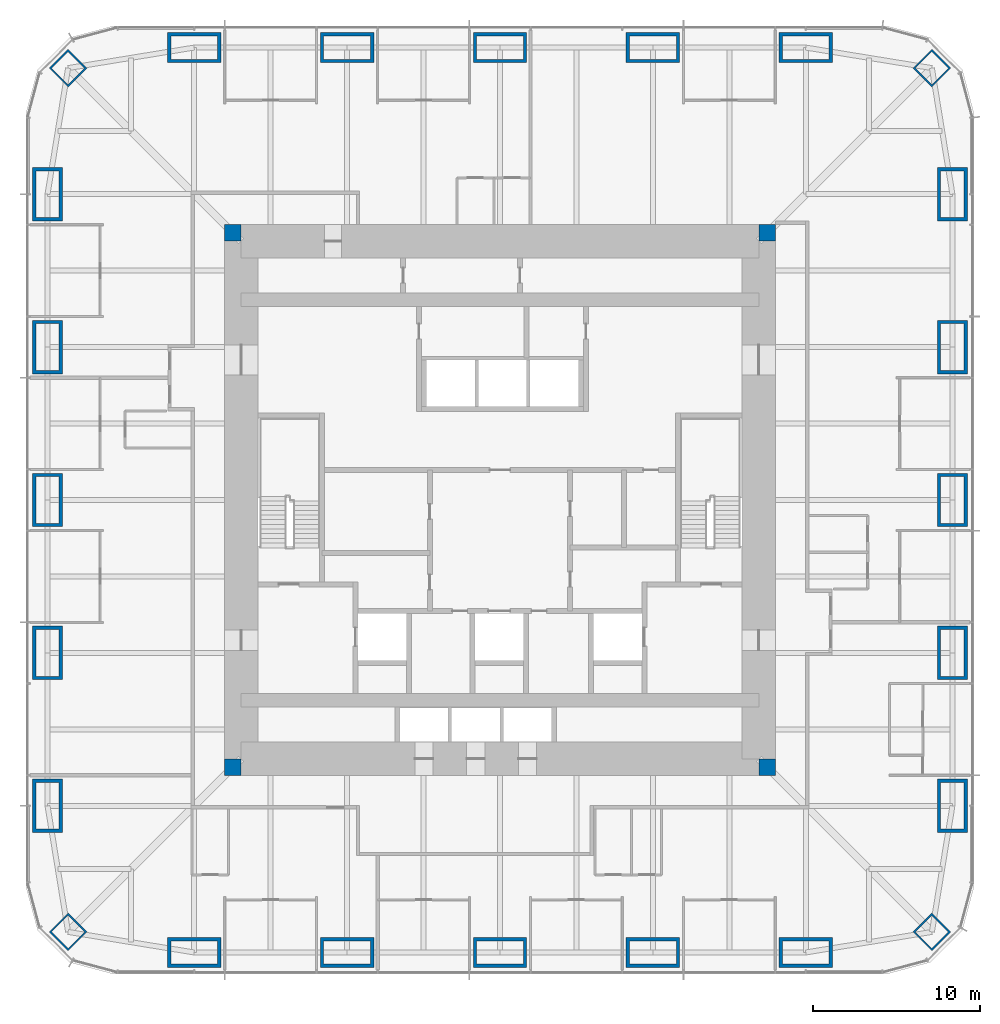
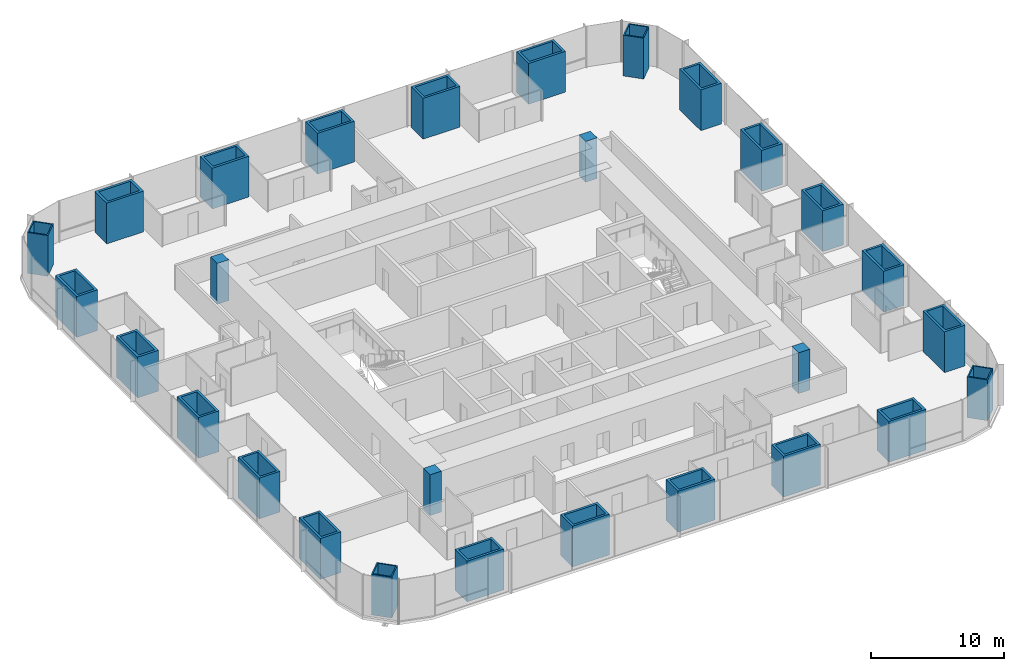
# One storey, part 1 of 11: 28 columns.
"""IFC4 building model written with IfcOpenShell, lengths in metres."""

from ifc_helpers import new_model, si_unit, direction, frame, origin, origin_2d, place, context, subcontext, project, spatial, rectangle, hollow_rectangle, extrude, material, material_profile, profile_set, type_object, element, save


model = new_model("IFC4")

# Units and contexts
model_context = context("Model", 3, precision=1e-05, world=origin(), true_north=direction((0.0, 1.0)))
body_context = subcontext(model_context, "Body", "Model", "MODEL_VIEW")
ifc_project = project(units=[si_unit("LENGTHUNIT", "METRE"), si_unit("AREAUNIT", "SQUARE_METRE"), si_unit("VOLUMEUNIT", "CUBIC_METRE"), si_unit("PLANEANGLEUNIT", "RADIAN"), si_unit("MASSUNIT", "GRAM", prefix="KILO")], contexts=[model_context])

# Site, building, storey
site_placement = place(None, origin())
site = spatial("IfcSite", under=ifc_project, at=site_placement, CompositionType="ELEMENT")
building_placement = place(site_placement, origin())
building = spatial("IfcBuilding", under=site, at=building_placement, Name="Khuree Lantern Residences", CompositionType="ELEMENT")
storey_placement = place(building_placement, frame((0.0, 0.0, 171.0)))
storey = spatial("IfcBuildingStorey", under=building, at=storey_placement, Name="L43", CompositionType="ELEMENT", Elevation=171.0)

# Columns
ifc_material_1 = material(Name="Steel S355 CFT welded box", Category="steel")
ifc_material_profile_1 = material_profile(ifc_material_1, hollow_rectangle(XDim=1.60009765625, YDim=1.60009765625, WallThickness=0.10009765625, at=origin_2d()), Name="WELDED BOX 1600X1600X100")
ifc_profile_set_1 = profile_set([ifc_material_profile_1], Name="Steel S355 CFT welded box")
column_type_1 = type_object("IfcColumnType", Name="CC1600 PERIMETER CORNER MEGA COLUMN WELDED BOX 1600X1600X100", PredefinedType="COLUMN", material=ifc_profile_set_1)
for number, where, z_axis, x_axis, name in (
    (1, (25.869873046875, 25.869873046875, 0.0), (0.0, 0.0, 1.0), (0.707106781187, -0.707106781187, 0.0), "Perimeter column NE"),
    (2, (25.869873046875, -25.869873046875, 0.0), (0.0, 0.0, 1.0), (0.707106781187, 0.707106781187, 0.0), "Perimeter column SE"),
    (3, (-25.869873046875, -25.869873046875, 0.0), (0.0, 0.0, 1.0), (0.707106781187, -0.707106781187, 0.0), "Perimeter column SW"),
    (4, (-25.869873046875, 25.869873046875, 0.0), (0.0, 0.0, 1.0), (0.707106781187, 0.707106781187, 0.0), "Perimeter column NW"),
):
    element("IfcColumn", number, at=place(storey_placement, frame(where, z_axis=z_axis, x_axis=x_axis)), inside=storey, type_object=column_type_1, Name=name, PredefinedType="COLUMN", context=body_context, shape_type="SweptSolid", body=[
        extrude(hollow_rectangle(XDim=1.60009765625, YDim=1.60009765625, WallThickness=0.10009765625, at=origin_2d()), origin(), (0.0, 0.0, 1.0), 3.75),
    ])
ifc_material_2 = material(Name="Concrete C70/85", Category="concrete")
ifc_material_profile_2 = material_profile(ifc_material_2, rectangle(XDim=1.0, YDim=1.0, at=origin_2d()), Name="RC 1000X1000")
ifc_profile_set_2 = profile_set([ifc_material_profile_2], Name="Concrete C70/85")
column_type_2 = type_object("IfcColumnType", Name="CP1000-C70 CORE CORNER PIER C70 RC 1000X1000", PredefinedType="COLUMN", material=ifc_profile_set_2)
for number, where, z_axis, x_axis, name in (
    (5, (16.0, 16.0, -0.25), (0.0, 0.0, 1.0), (1.0, 0.0, 0.0), "Core corner pier NE"),
    (6, (-16.0, 16.0, -0.25), (0.0, 0.0, 1.0), (1.0, 0.0, 0.0), "Core corner pier NW"),
    (7, (-16.0, -16.0, -0.25), (0.0, 0.0, 1.0), (1.0, 0.0, 0.0), "Core corner pier SW"),
    (8, (16.0, -16.0, -0.25), (0.0, 0.0, 1.0), (1.0, 0.0, 0.0), "Core corner pier SE"),
):
    element("IfcColumn", number, at=place(storey_placement, frame(where, z_axis=z_axis, x_axis=x_axis)), inside=storey, type_object=column_type_2, Name=name, PredefinedType="COLUMN", context=body_context, shape_type="SweptSolid", body=[
        extrude(rectangle(XDim=1.0, YDim=1.0, at=origin_2d()), origin(), (0.0, 0.0, 1.0), 3.75),
    ])
ifc_material_profile_3 = material_profile(ifc_material_1, hollow_rectangle(XDim=3.199951171875, YDim=1.800048828125, WallThickness=0.199951171875, at=origin_2d()), Name="WELDED BOX 3200X1800X200")
ifc_profile_set_3 = profile_set([ifc_material_profile_3], Name="Steel S355 CFT welded box")
column_type_3 = type_object("IfcColumnType", Name="SC1 PERIMETER MEGA COLUMN WELDED BOX 3200X1800X200", PredefinedType="COLUMN", material=ifc_profile_set_3)
for number, where, z_axis, x_axis, name in (
    (9, (-18.320068359375, 27.10009765625, 0.0), (0.0, 0.0, 1.0), (1.0, 0.0, 0.0), "Perimeter column N1"),
    (10, (-9.159912109375, 27.10009765625, 0.0), (0.0, 0.0, 1.0), (1.0, 0.0, 0.0), "Perimeter column N2"),
    (11, (0.0, 27.10009765625, 0.0), (0.0, 0.0, 1.0), (1.0, 0.0, 0.0), "Perimeter column N3"),
    (12, (9.159912109375, 27.10009765625, 0.0), (0.0, 0.0, 1.0), (1.0, 0.0, 0.0), "Perimeter column N4"),
    (13, (18.320068359375, 27.10009765625, 0.0), (0.0, 0.0, 1.0), (1.0, 0.0, 0.0), "Perimeter column N5"),
    (14, (27.10009765625, 18.320068359375, 0.0), (0.0, 0.0, 1.0), (0.0, 1.0, 0.0), "Perimeter column E1"),
    (15, (27.10009765625, 9.159912109375, 0.0), (0.0, 0.0, 1.0), (0.0, 1.0, 0.0), "Perimeter column E2"),
    (16, (27.10009765625, 0.0, 0.0), (0.0, 0.0, 1.0), (0.0, 1.0, 0.0), "Perimeter column E3"),
    (17, (27.10009765625, -9.159912109375, 0.0), (0.0, 0.0, 1.0), (0.0, 1.0, 0.0), "Perimeter column E4"),
    (18, (27.10009765625, -18.320068359375, 0.0), (0.0, 0.0, 1.0), (0.0, 1.0, 0.0), "Perimeter column E5"),
    (19, (18.320068359375, -27.10009765625, 0.0), (0.0, 0.0, 1.0), (1.0, 0.0, 0.0), "Perimeter column S1"),
    (20, (9.159912109375, -27.10009765625, 0.0), (0.0, 0.0, 1.0), (1.0, 0.0, 0.0), "Perimeter column S2"),
    (21, (0.0, -27.10009765625, 0.0), (0.0, 0.0, 1.0), (1.0, 0.0, 0.0), "Perimeter column S3"),
    (22, (-9.159912109375, -27.10009765625, 0.0), (0.0, 0.0, 1.0), (1.0, 0.0, 0.0), "Perimeter column S4"),
    (23, (-18.320068359375, -27.10009765625, 0.0), (0.0, 0.0, 1.0), (1.0, 0.0, 0.0), "Perimeter column S5"),
    (24, (-27.10009765625, -18.320068359375, 0.0), (0.0, 0.0, 1.0), (0.0, 1.0, 0.0), "Perimeter column W1"),
    (25, (-27.10009765625, -9.159912109375, 0.0), (0.0, 0.0, 1.0), (0.0, 1.0, 0.0), "Perimeter column W2"),
    (26, (-27.10009765625, 0.0, 0.0), (0.0, 0.0, 1.0), (0.0, 1.0, 0.0), "Perimeter column W3"),
    (27, (-27.10009765625, 9.159912109375, 0.0), (0.0, 0.0, 1.0), (0.0, 1.0, 0.0), "Perimeter column W4"),
    (28, (-27.10009765625, 18.320068359375, 0.0), (0.0, 0.0, 1.0), (0.0, 1.0, 0.0), "Perimeter column W5"),
):
    element("IfcColumn", number, at=place(storey_placement, frame(where, z_axis=z_axis, x_axis=x_axis)), inside=storey, type_object=column_type_3, Name=name, PredefinedType="COLUMN", context=body_context, shape_type="SweptSolid", body=[
        extrude(hollow_rectangle(XDim=3.199951171875, YDim=1.800048828125, WallThickness=0.199951171875, at=origin_2d()), origin(), (0.0, 0.0, 1.0), 3.75),
    ])

save(model, "model.ifc")
